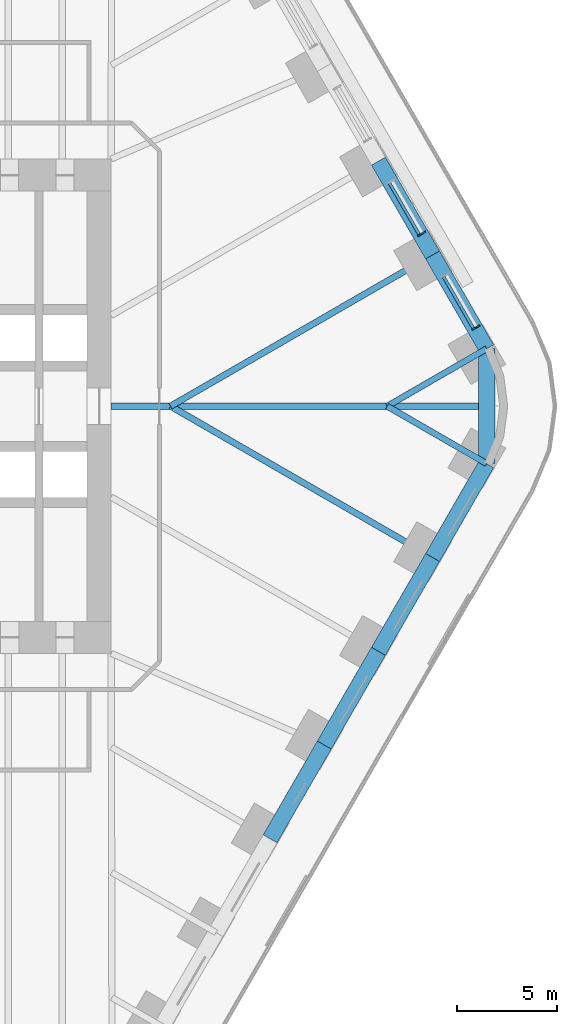
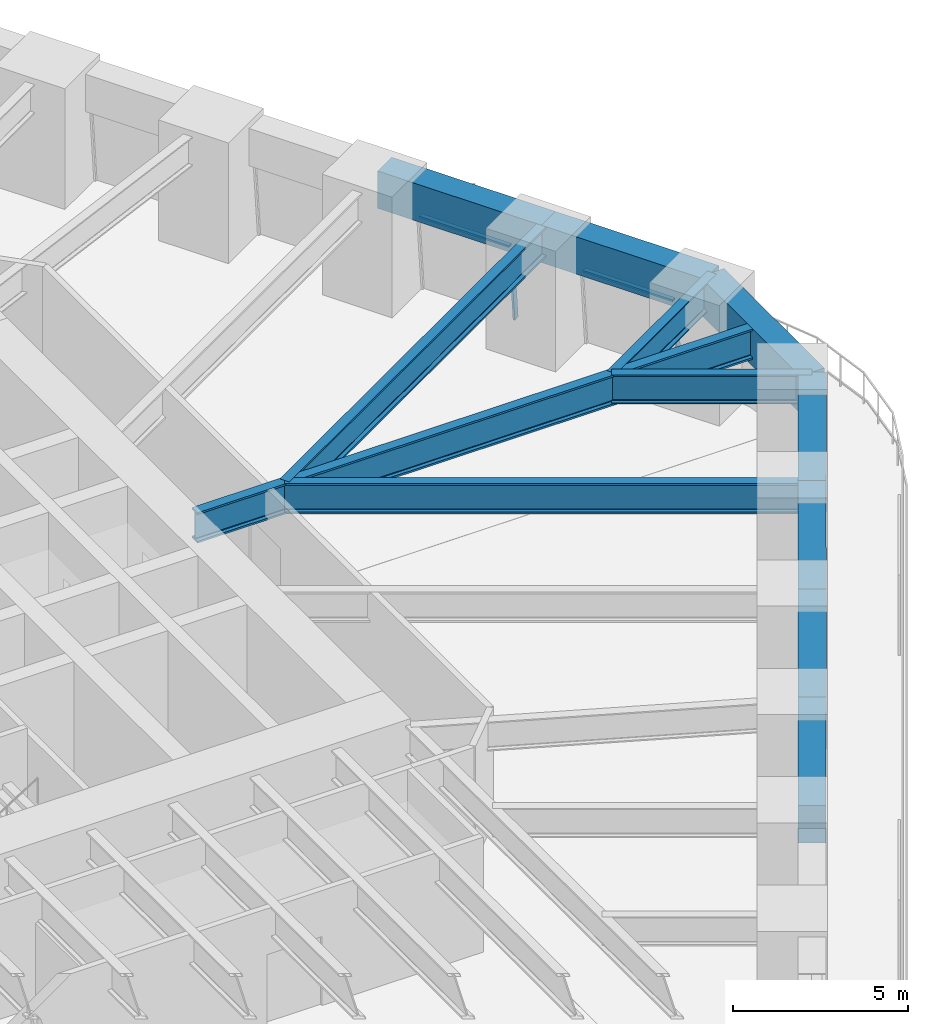
# One storey, part 12 of 23: 12 beams, 4 members, 2 elements without a shape of their own.
"""IFC4 building model written with IfcOpenShell, lengths in metres."""

from ifc_helpers import new_model, si_unit, direction, frame, origin, origin_2d, place, context, subcontext, project, spatial, rectangle, i_section, extrude, material, material_profile, profile_set, type_object, element, aggregate, save


model = new_model("IFC4")

# Units and contexts
model_context = context("Model", 3, precision=1e-05, world=origin(), true_north=direction((0.0, 1.0)))
body_context = subcontext(model_context, "Body", "Model", "MODEL_VIEW")
ifc_project = project(units=[si_unit("LENGTHUNIT", "METRE"), si_unit("AREAUNIT", "SQUARE_METRE"), si_unit("VOLUMEUNIT", "CUBIC_METRE"), si_unit("PLANEANGLEUNIT", "RADIAN"), si_unit("MASSUNIT", "GRAM", prefix="KILO")], contexts=[model_context])

# Site, building, storey
site_placement = place(None, origin())
site = spatial("IfcSite", under=ifc_project, at=site_placement, CompositionType="ELEMENT")
building_placement = place(site_placement, origin())
building = spatial("IfcBuilding", under=site, at=building_placement, Name="Tarfa Lantern Tower", CompositionType="ELEMENT")
storey_placement = place(building_placement, frame((0.0, 0.0, 31.89990234375)))
storey = spatial("IfcBuildingStorey", under=building, at=storey_placement, Name="L06", CompositionType="ELEMENT", Elevation=31.89990234375)

# Curtain wall, member
ifc_material_1 = material(Name="Aluminium framed curtain wall", Category="aluminium")
curtain_wall_type = type_object("IfcCurtainWallType", Name="CW1 CANTED GLAZING LOW ZONE 2700", PredefinedType="USERDEFINED", material=ifc_material_1)
curtain_wall_1_placement = place(storey_placement, origin())
curtain_wall_1 = element("IfcCurtainWall", 1, at=curtain_wall_1_placement, inside=storey, type_object=curtain_wall_type, Name="CW1 NE L06", ObjectType="CURTAIN WALL", PredefinedType="USERDEFINED")
ifc_material_2 = material(Name="Aluminium mullion", Category="aluminium")
ifc_material_profile_1 = material_profile(ifc_material_2, rectangle(XDim=0.06494140625, YDim=0.199951171875, at=origin_2d()), Name="AL MULLION 65x200")
ifc_profile_set_1 = profile_set([ifc_material_profile_1], Name="Aluminium mullion")
member_type_1 = type_object("IfcMemberType", Name="CWM1 MULLION 65x200", PredefinedType="MULLION", material=ifc_profile_set_1)
member_1_placement = place(storey_placement, frame((36.849853515625, 3.97412109375, 0.0), z_axis=(-0.079857261722, -0.046095736191, 0.995739926314), x_axis=(0.499919672301, -0.866071776036, 0.0)))
member_1 = element("IfcMember", 2, at=member_1_placement, type_object=member_type_1, Name="CW1 mullion 1", PredefinedType="MULLION", context=body_context, shape_type="SweptSolid", body=[
    extrude(rectangle(XDim=0.06494140625, YDim=0.199951171875, at=origin_2d()), origin(), (0.0, 0.0, 1.0), 2.711669921875),
])

curtain_wall_2_placement = place(storey_placement, origin())
curtain_wall_2 = element("IfcCurtainWall", 3, at=curtain_wall_2_placement, inside=storey, type_object=curtain_wall_type, Name="CW1 NE L06", ObjectType="CURTAIN WALL", PredefinedType="USERDEFINED")
member_2_placement = place(storey_placement, frame((34.155517578125, 8.640625, 0.0), z_axis=(-0.079767804165, -0.046096067418, 0.995747081335), x_axis=(0.500342721131, -0.865827443207, 0.0)))
member_2 = element("IfcMember", 4, at=member_2_placement, type_object=member_type_1, Name="CW1 mullion 1", PredefinedType="MULLION", context=body_context, shape_type="SweptSolid", body=[
    extrude(rectangle(XDim=0.06494140625, YDim=0.199951171875, at=origin_2d()), origin(), (0.0, 0.0, 1.0), 2.711669921875),
])

# Member
ifc_material_3 = material(Name="Aluminium transom", Category="aluminium")
ifc_material_profile_2 = material_profile(ifc_material_3, rectangle(XDim=0.14990234375, YDim=0.06494140625, at=origin_2d()), Name="AL TRANSOM 150x65")
ifc_profile_set_2 = profile_set([ifc_material_profile_2], Name="Aluminium transom")
member_type_2 = type_object("IfcMemberType", Name="CWT1 TRANSOM 150x65", PredefinedType="USERDEFINED", material=ifc_profile_set_2)
member_3_placement = place(storey_placement, frame((36.619873046875, 3.878662109375, 2.66748046875), z_axis=(-0.50004387232, 0.866000072607, 0.0), x_axis=(-0.866000072607, -0.50004387232, 0.0)))
member_3 = element("IfcMember", 5, at=member_3_placement, type_object=member_type_2, Name="CW1 transom 1.2", ObjectType="TRANSOM", PredefinedType="USERDEFINED", context=body_context, shape_type="SweptSolid", body=[
    extrude(rectangle(XDim=0.14990234375, YDim=0.06494140625, at=origin_2d()), origin(), (0.0, 0.0, 1.0), 2.958740234375),
])

aggregate(curtain_wall_1, [member_1, member_3])

member_4_placement = place(storey_placement, frame((33.925537109375, 8.54541015625, 2.66748046875), z_axis=(-0.50004387232, 0.866000072607, 0.0), x_axis=(-0.866000072607, -0.50004387232, 0.0)))
member_4 = element("IfcMember", 6, at=member_4_placement, type_object=member_type_2, Name="CW1 transom 1.2", ObjectType="TRANSOM", PredefinedType="USERDEFINED", context=body_context, shape_type="SweptSolid", body=[
    extrude(rectangle(XDim=0.14990234375, YDim=0.06494140625, at=origin_2d()), origin(), (0.0, 0.0, 1.0), 2.958740234375),
])

aggregate(curtain_wall_2, [member_2, member_4])

# Beams
ifc_material_4 = material(Name="Concrete C80/95", Category="concrete")
ifc_material_profile_3 = material_profile(ifc_material_4, rectangle(XDim=0.800048828125, YDim=1.300048828125, at=origin_2d()), Name="RC 800x1300")
ifc_profile_set_3 = profile_set([ifc_material_profile_3], Name="Concrete C80/95")
beam_type_1 = type_object("IfcBeamType", Name="EB1 RC 800x1300", PredefinedType="SPANDREL", material=ifc_profile_set_3)
beam_1_placement = place(storey_placement, frame((37.285400390625, 2.860107421875, 3.35009765625), z_axis=(-0.500017906299, 0.866015065331, 0.0), x_axis=(-0.866015065331, -0.500017906299, 0.0)))
element("IfcBeam", 7, at=beam_1_placement, inside=storey, type_object=beam_type_1, Name="Edge beam NE0", PredefinedType="SPANDREL", context=body_context, shape_type="SweptSolid", body=[
    extrude(rectangle(XDim=0.800048828125, YDim=1.300048828125, at=origin_2d()), origin(), (0.0, 0.0, 1.0), 5.388427734375),
])
beam_2_placement = place(storey_placement, frame((34.591064453125, 7.526611328125, 3.35009765625), z_axis=(-0.499998287579, 0.866026392449, 0.0), x_axis=(-0.866026392449, -0.499998287579, 0.0)))
element("IfcBeam", 8, at=beam_2_placement, inside=storey, type_object=beam_type_1, Name="Edge beam NE1", PredefinedType="SPANDREL", context=body_context, shape_type="SweptSolid", body=[
    extrude(rectangle(XDim=0.800048828125, YDim=1.300048828125, at=origin_2d()), origin(), (0.0, 0.0, 1.0), 5.388671875),
])
beam_3_placement = place(storey_placement, frame((26.508056640625, -21.526611328125, 3.35009765625), z_axis=(0.500017906299, 0.866015065331, 0.0), x_axis=(-0.866015065331, 0.500017906299, 0.0)))
element("IfcBeam", 9, at=beam_3_placement, inside=storey, type_object=beam_type_1, Name="Edge beam SE2", PredefinedType="SPANDREL", context=body_context, shape_type="SweptSolid", body=[
    extrude(rectangle(XDim=0.800048828125, YDim=1.300048828125, at=origin_2d()), origin(), (0.0, 0.0, 1.0), 5.388427734375),
])
for number, where, z_axis, x_axis, name in (
    (10, (29.202392578125, -16.860107421875, 3.35009765625), (0.499998287579, 0.866026392449, 0.0), (-0.866026392449, 0.499998287579, 0.0), "Edge beam SE3"),
    (11, (31.896728515625, -12.193359375, 3.35009765625), (0.499998287579, 0.866026392449, 0.0), (-0.866026392449, 0.499998287579, 0.0), "Edge beam SE4"),
):
    element("IfcBeam", number, at=place(storey_placement, frame(where, z_axis=z_axis, x_axis=x_axis)), inside=storey, type_object=beam_type_1, Name=name, PredefinedType="SPANDREL", context=body_context, shape_type="SweptSolid", body=[
        extrude(rectangle(XDim=0.800048828125, YDim=1.300048828125, at=origin_2d()), origin(), (0.0, 0.0, 1.0), 5.388671875),
    ])
beam_4_placement = place(storey_placement, frame((34.591064453125, -7.526611328125, 3.35009765625), z_axis=(0.500017906299, 0.866015065331, 0.0), x_axis=(-0.866015065331, 0.500017906299, 0.0)))
element("IfcBeam", 12, at=beam_4_placement, inside=storey, type_object=beam_type_1, Name="Edge beam SE5", PredefinedType="SPANDREL", context=body_context, shape_type="SweptSolid", body=[
    extrude(rectangle(XDim=0.800048828125, YDim=1.300048828125, at=origin_2d()), origin(), (0.0, 0.0, 1.0), 5.388427734375),
])
beam_5_placement = place(storey_placement, frame((37.285400390625, -2.860107421875, 3.35009765625), z_axis=(0.0, 1.0, 0.0), x_axis=(-1.0, 0.0, 0.0)))
element("IfcBeam", 13, at=beam_5_placement, inside=storey, type_object=beam_type_1, Name="Edge beam SE6", PredefinedType="SPANDREL", context=body_context, shape_type="SweptSolid", body=[
    extrude(rectangle(XDim=0.800048828125, YDim=1.300048828125, at=origin_2d()), origin(), (0.0, 0.0, 1.0), 5.72021484375),
])
ifc_material_5 = material(Name="Steel S460M", Category="steel")
ifc_material_profile_4 = material_profile(ifc_material_5, i_section(OverallWidth=0.302001953125, OverallDepth=1.008056640625, WebThickness=0.02099609375, FlangeThickness=0.0400390625, FilletRadius=0.030029296875, at=origin_2d()), Name="UB1016x305x349")
ifc_profile_set_4 = profile_set([ifc_material_profile_4], Name="Steel S460M")
beam_type_2 = type_object("IfcBeamType", Name="UB1016x305x349", PredefinedType="BEAM", material=ifc_profile_set_4)
for number, where, z_axis, x_axis, name in (
    (14, (37.285400390625, 2.860107421875, 3.49609375), (-0.866025668288, -0.499999541866, 0.0), (0.499999541866, -0.866025668288, 0.0), "Floor beam NE0"),
    (15, (37.285400390625, -2.860107421875, 3.49609375), (-0.866025668288, 0.499999541866, 0.0), (-0.499999541866, -0.866025668288, 0.0), "Floor beam SE6"),
):
    element("IfcBeam", number, at=place(storey_placement, frame(where, z_axis=z_axis, x_axis=x_axis)), inside=storey, type_object=beam_type_2, Name=name, PredefinedType="BEAM", context=body_context, shape_type="SweptSolid", body=[
        extrude(i_section(OverallWidth=0.302001953125, OverallDepth=1.008056640625, WebThickness=0.02099609375, FlangeThickness=0.0400390625, FilletRadius=0.030029296875, at=origin_2d()), origin(), (0.0, 0.0, 1.0), 5.72021484375),
    ])
ifc_material_profile_5 = material_profile(ifc_material_5, i_section(OverallWidth=0.314208984375, OverallDepth=1.055908203125, WebThickness=0.035888671875, FlangeThickness=0.06396484375, FilletRadius=0.030029296875, at=origin_2d()), Name="UB1016x305x584")
ifc_profile_set_5 = profile_set([ifc_material_profile_5], Name="Steel S460M")
beam_type_3 = type_object("IfcBeamType", Name="UB1016x305x584", PredefinedType="BEAM", material=ifc_profile_set_5)
beam_6_placement = place(storey_placement, frame((18.60009765625, 0.0, 3.47216796875), z_axis=(1.0, 0.0, 0.0), x_axis=(0.0, 1.0, 0.0)))
element("IfcBeam", 16, at=beam_6_placement, inside=storey, type_object=beam_type_3, Name="Hip girder E", PredefinedType="BEAM", context=body_context, shape_type="SweptSolid", body=[
    extrude(i_section(OverallWidth=0.314208984375, OverallDepth=1.055908203125, WebThickness=0.035888671875, FlangeThickness=0.06396484375, FilletRadius=0.030029296875, at=origin_2d()), origin(), (0.0, 0.0, 1.0), 18.685302734375),
])
for number, where, z_axis, x_axis, name in (
    (17, (34.591064453125, 7.526611328125, 3.47216796875), (-0.86602785945, -0.499995746638, 0.0), (0.499995746638, -0.86602785945, 0.0), "Floor beam NE1"),
    (18, (34.591064453125, -7.526611328125, 3.47216796875), (-0.86602785945, 0.499995746638, 0.0), (-0.499995746638, -0.86602785945, 0.0), "Floor beam SE5"),
):
    element("IfcBeam", number, at=place(storey_placement, frame(where, z_axis=z_axis, x_axis=x_axis)), inside=storey, type_object=beam_type_3, Name=name, PredefinedType="BEAM", context=body_context, shape_type="SweptSolid", body=[
        extrude(i_section(OverallWidth=0.314208984375, OverallDepth=1.055908203125, WebThickness=0.035888671875, FlangeThickness=0.06396484375, FilletRadius=0.030029296875, at=origin_2d()), origin(), (0.0, 0.0, 1.0), 15.053466796875),
    ])

save(model, "model.ifc")
